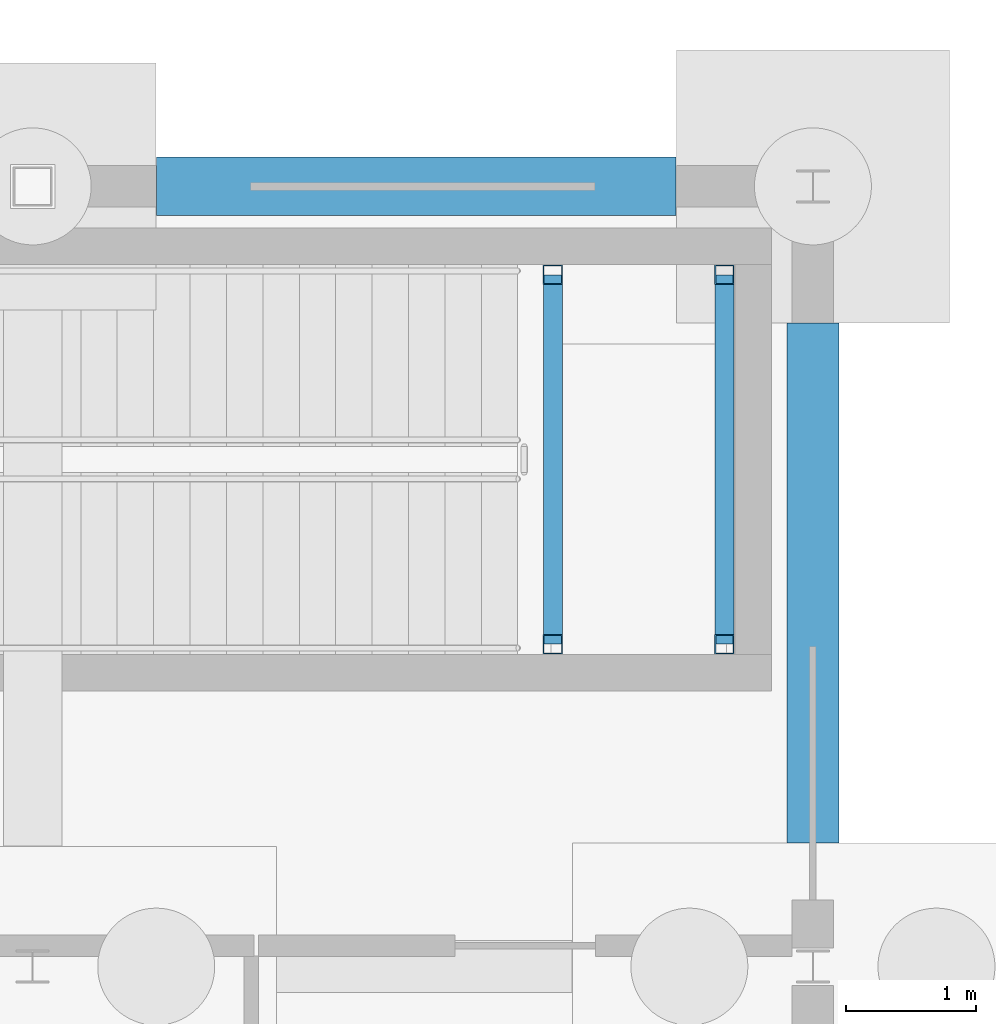
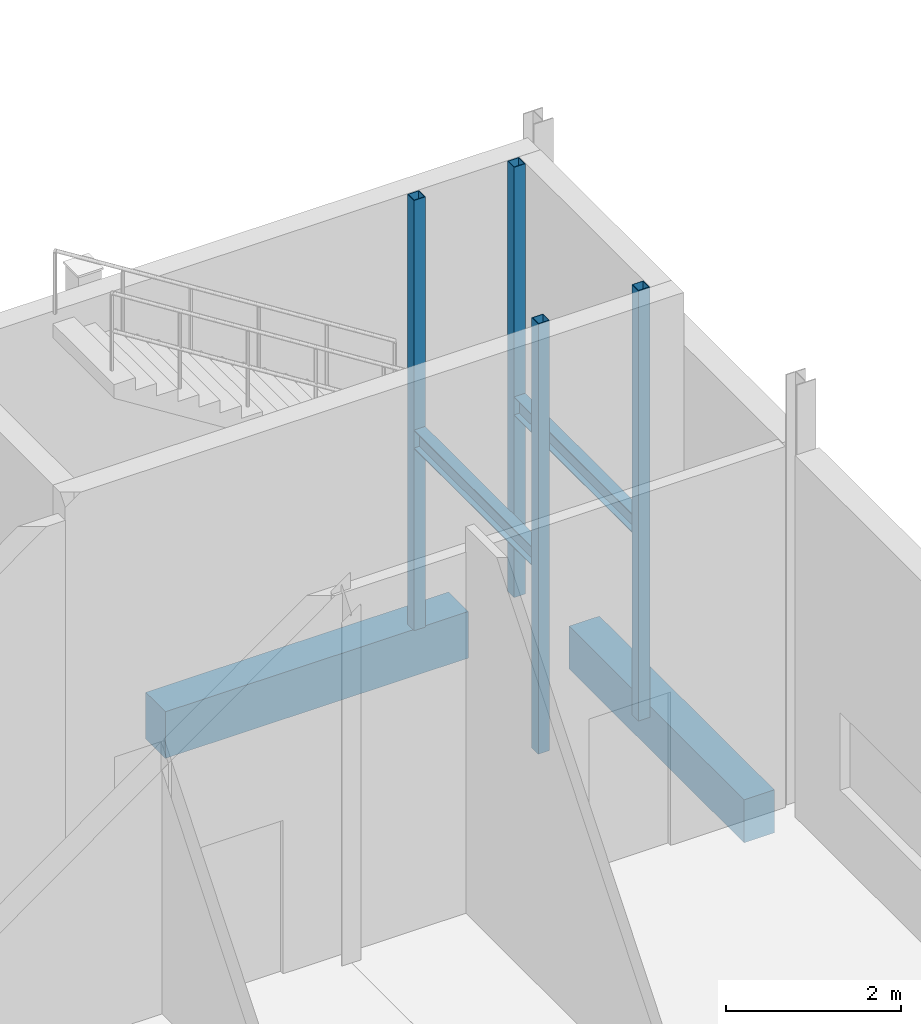
# One storey, part 60 of 120: 4 beams, 4 members.
"""IFC4 building model written with IfcOpenShell, lengths in metres."""

from ifc_helpers import new_model, si_unit, direction, frame, origin, origin_2d, place, context, subcontext, project, spatial, rectangle, hollow_rectangle, i_section, extrude, material, material_profile, profile_set, type_object, element, save


model = new_model("IFC4")

# Units and contexts
model_context = context("Model", 3, precision=1e-05, world=origin(), true_north=direction((0.0, 1.0)))
body_context = subcontext(model_context, "Body", "Model", "MODEL_VIEW")
ifc_project = project(units=[si_unit("LENGTHUNIT", "METRE"), si_unit("AREAUNIT", "SQUARE_METRE"), si_unit("VOLUMEUNIT", "CUBIC_METRE"), si_unit("PLANEANGLEUNIT", "RADIAN"), si_unit("MASSUNIT", "GRAM", prefix="KILO")], contexts=[model_context])

# Site, building, storey
site_placement = place(None, origin())
site = spatial("IfcSite", under=ifc_project, at=site_placement, CompositionType="ELEMENT")
building_placement = place(site_placement, origin())
building = spatial("IfcBuilding", under=site, at=building_placement, Name="Siltcreek Boulevard Central Fire Station", CompositionType="ELEMENT")
storey_placement = place(building_placement, origin())
storey = spatial("IfcBuildingStorey", under=building, at=storey_placement, Name="L01", CompositionType="ELEMENT", Elevation=0.0)

# Members
ifc_material_1 = material(Name="Structural steel ASTM A500 GrC", Category="steel")
ifc_material_profile_1 = material_profile(ifc_material_1, hollow_rectangle(XDim=0.14990234375, YDim=0.14990234375, WallThickness=0.008056640625, at=origin_2d()), Name="HSS150X150X8.0")
ifc_profile_set_1 = profile_set([ifc_material_profile_1], Name="Structural steel ASTM A500 GrC")
member_type = type_object("IfcMemberType", Name="BR_HSS150_8", PredefinedType="BRACE", material=ifc_profile_set_1)
for number, where, z_axis, x_axis, name in (
    (1, (164.199951171875, 26.47998046875, 0.0), (0.0, 0.0, 1.0), (1.0, 0.0, 0.0), "L01 ST-V6B stair landing corner post SW"),
    (2, (164.199951171875, 29.320068359375, 0.0), (0.0, 0.0, 1.0), (1.0, 0.0, 0.0), "L01 ST-V6B stair landing corner post NW"),
    (3, (165.52001953125, 26.47998046875, 0.0), (0.0, 0.0, 1.0), (1.0, 0.0, 0.0), "L01 ST-V6B stair landing corner post SE"),
    (4, (165.52001953125, 29.320068359375, 0.0), (0.0, 0.0, 1.0), (1.0, 0.0, 0.0), "L01 ST-V6B stair landing corner post NE"),
):
    element("IfcMember", number, at=place(storey_placement, frame(where, z_axis=z_axis, x_axis=x_axis)), inside=storey, type_object=member_type, Name=name, PredefinedType="BRACE", context=body_context, shape_type="SweptSolid", body=[
        extrude(hollow_rectangle(XDim=0.14990234375, YDim=0.14990234375, WallThickness=0.008056640625, at=origin_2d()), origin(), (0.0, 0.0, 1.0), 6.0),
    ])

# Beams
ifc_material_2 = material(Name="Concrete C35/45", Category="concrete")
ifc_material_profile_2 = material_profile(ifc_material_2, rectangle(XDim=0.39990234375, YDim=0.60009765625, at=origin_2d()), Name="RC400X600")
ifc_profile_set_2 = profile_set([ifc_material_profile_2], Name="Concrete C35/45")
beam_type_1 = type_object("IfcBeamType", Name="GB_RC400X600", PredefinedType="USERDEFINED", material=ifc_profile_set_2)
beam_1_placement = place(storey_placement, frame((166.199951171875, 24.951904296875, -0.7099609375), z_axis=(0.0, 1.0, 0.0), x_axis=(-1.0, 0.0, 0.0)))
element("IfcBeam", 5, at=beam_1_placement, inside=storey, type_object=beam_type_1, Name="Reinforced concrete tie grade beam GB-235", ObjectType="GRADE BEAM", PredefinedType="USERDEFINED", context=body_context, shape_type="SweptSolid", body=[
    extrude(rectangle(XDim=0.39990234375, YDim=0.60009765625, at=origin_2d()), origin(), (0.0, 0.0, 1.0), 3.99609375),
])
ifc_material_profile_3 = material_profile(ifc_material_2, rectangle(XDim=0.449951171875, YDim=0.64990234375, at=origin_2d()), Name="RC450X650")
ifc_profile_set_3 = profile_set([ifc_material_profile_3], Name="Concrete C35/45")
beam_type_2 = type_object("IfcBeamType", Name="GB_RC450X650", PredefinedType="USERDEFINED", material=ifc_profile_set_3)
beam_2_placement = place(storey_placement, frame((161.152099609375, 30.0, -0.735107421875), z_axis=(1.0, 0.0, 0.0), x_axis=(0.0, 1.0, 0.0)))
element("IfcBeam", 6, at=beam_2_placement, inside=storey, type_object=beam_type_2, Name="Reinforced concrete tie grade beam GB-080", ObjectType="GRADE BEAM", PredefinedType="USERDEFINED", context=body_context, shape_type="SweptSolid", body=[
    extrude(rectangle(XDim=0.449951171875, YDim=0.64990234375, at=origin_2d()), origin(), (0.0, 0.0, 1.0), 3.995849609375),
])
ifc_material_3 = material(Name="Structural steel ASTM A992 Gr50", Category="steel")
ifc_material_profile_4 = material_profile(ifc_material_3, i_section(OverallWidth=0.14697265625, OverallDepth=0.261962890625, WebThickness=0.006591796875, FlangeThickness=0.01123046875, at=origin_2d()), Name="W250X39")
ifc_profile_set_4 = profile_set([ifc_material_profile_4], Name="Structural steel ASTM A992 Gr50")
beam_type_3 = type_object("IfcBeamType", Name="JST_W250X39", PredefinedType="JOIST", material=ifc_profile_set_4)
for number, where, z_axis, x_axis, name in (
    (7, (164.199951171875, 26.47998046875, 2.6689453125), (0.0, 1.0, 0.0), (-1.0, 0.0, 0.0), "L01 ST-V6B stair landing bearer MIDW"),
    (8, (165.52001953125, 26.47998046875, 2.6689453125), (0.0, 1.0, 0.0), (-1.0, 0.0, 0.0), "L01 ST-V6B stair landing bearer MIDE"),
):
    element("IfcBeam", number, at=place(storey_placement, frame(where, z_axis=z_axis, x_axis=x_axis)), inside=storey, type_object=beam_type_3, Name=name, PredefinedType="JOIST", context=body_context, shape_type="SweptSolid", body=[
        extrude(i_section(OverallWidth=0.14697265625, OverallDepth=0.261962890625, WebThickness=0.006591796875, FlangeThickness=0.01123046875, at=origin_2d()), origin(), (0.0, 0.0, 1.0), 2.840087890625),
    ])

save(model, "model.ifc")
